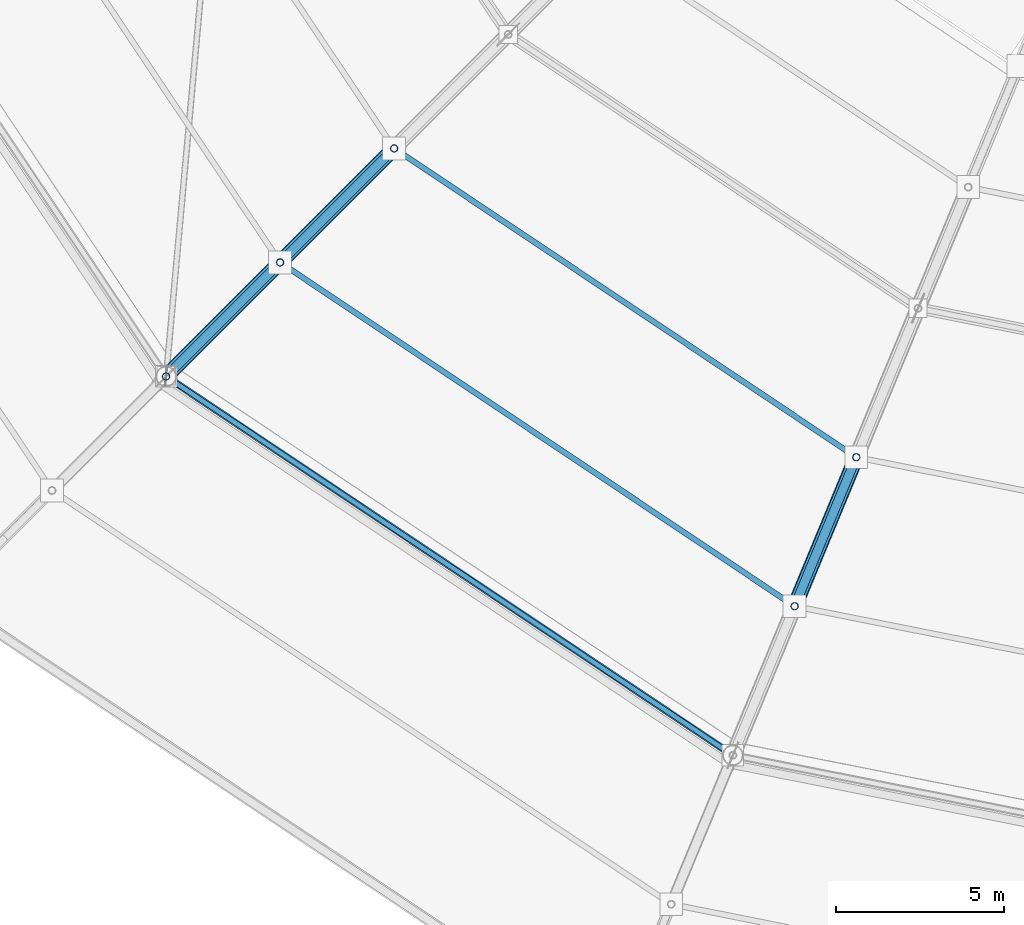
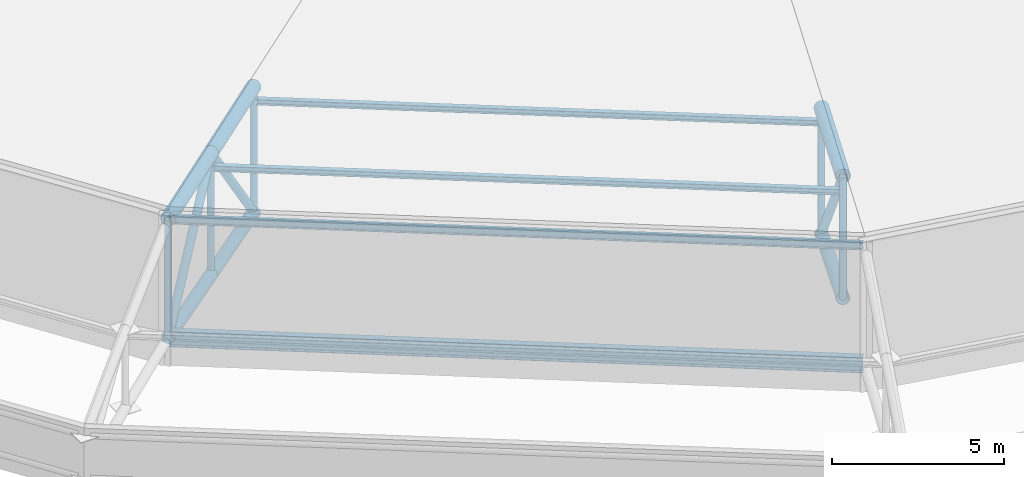
# One storey, part 17 of 146: 16 members, 2 beams.
"""IFC4 building model written with IfcOpenShell, lengths in metres."""

from ifc_helpers import new_model, si_unit, direction, frame, origin, origin_2d, place, context, subcontext, project, spatial, hollow_circle, i_section, extrude, material, material_profile, profile_set, type_object, element, save


model = new_model("IFC4")

# Units and contexts
model_context = context("Model", 3, precision=1e-05, world=origin(), true_north=direction((0.0, 1.0)))
body_context = subcontext(model_context, "Body", "Model", "MODEL_VIEW")
ifc_project = project(units=[si_unit("LENGTHUNIT", "METRE"), si_unit("AREAUNIT", "SQUARE_METRE"), si_unit("VOLUMEUNIT", "CUBIC_METRE"), si_unit("PLANEANGLEUNIT", "RADIAN"), si_unit("MASSUNIT", "GRAM", prefix="KILO")], contexts=[model_context])

# Site, building, storey
site_placement = place(None, origin())
site = spatial("IfcSite", under=ifc_project, at=site_placement, CompositionType="ELEMENT")
building_placement = place(site_placement, origin())
building = spatial("IfcBuilding", under=site, at=building_placement, Name="Candeia Ridge Stadium", CompositionType="ELEMENT")
storey_placement = place(building_placement, frame((0.0, 0.0, 31.800048828125)))
storey = spatial("IfcBuildingStorey", under=building, at=storey_placement, Name="RF", CompositionType="ELEMENT", Elevation=31.800048828125)

# Beams
ifc_material = material(Name="Steel ASTM A572 Grade 50", Category="steel")
ifc_material_profile_1 = material_profile(ifc_material, i_section(OverallWidth=0.14794921875, OverallDepth=0.26611328125, WebThickness=0.007568359375, FlangeThickness=0.012939453125, FilletRadius=0.010986328125, at=origin_2d()), Name="W250x44.8", Category="steel")
ifc_profile_set_1 = profile_set([ifc_material_profile_1], Name="Steel ASTM A572 Grade 50")
beam_type_1 = type_object("IfcBeamType", Name="Canopy Edge Spandrel W250x44.8", PredefinedType="SPANDREL", material=ifc_profile_set_1)
beam_1_placement = place(storey_placement, frame((34.263671875, 34.208251953125, 4.599853515625), z_axis=(0.831468111774, -0.555572478713, 0.0), x_axis=(0.555572478713, 0.831468111774, 0.0)))
element("IfcBeam", 1, at=beam_1_placement, inside=storey, type_object=beam_type_1, Name="Roof crown cap ring beam bay 17", PredefinedType="SPANDREL", context=body_context, shape_type="SweptSolid", body=[
    extrude(i_section(OverallWidth=0.14794921875, OverallDepth=0.26611328125, WebThickness=0.007568359375, FlangeThickness=0.012939453125, FilletRadius=0.010986328125, at=origin_2d()), origin(), (0.0, 0.0, 1.0), 20.20947265625),
])
ifc_material_profile_2 = material_profile(ifc_material, i_section(OverallWidth=0.2119140625, OverallDepth=0.5439453125, WebThickness=0.01318359375, FlangeThickness=0.021240234375, FilletRadius=0.013916015625, at=origin_2d()), Name="W530x123", Category="steel")
ifc_profile_set_2 = profile_set([ifc_material_profile_2], Name="Steel ASTM A572 Grade 50")
beam_type_2 = type_object("IfcBeamType", Name="Roof Perimeter Ring Beam W530x123", PredefinedType="BEAM", material=ifc_profile_set_2)
beam_2_placement = place(storey_placement, frame((34.263671875, 34.208251953125, 0.39990234375), z_axis=(0.831468111774, -0.555572478713, 0.0), x_axis=(0.555572478713, 0.831468111774, 0.0)))
element("IfcBeam", 2, at=beam_2_placement, inside=storey, type_object=beam_type_2, Name="Roof perimeter ring beam bay 17", PredefinedType="BEAM", context=body_context, shape_type="SweptSolid", body=[
    extrude(i_section(OverallWidth=0.2119140625, OverallDepth=0.5439453125, WebThickness=0.01318359375, FlangeThickness=0.021240234375, FilletRadius=0.013916015625, at=origin_2d()), origin(), (0.0, 0.0, 1.0), 20.20947265625),
])

# Members
ifc_material_profile_3 = material_profile(ifc_material, i_section(OverallWidth=0.1650390625, OverallDepth=0.200927734375, WebThickness=0.006103515625, FlangeThickness=0.01025390625, FilletRadius=0.010009765625, at=origin_2d()), Name="W200x35.9", Category="steel")
ifc_profile_set_3 = profile_set([ifc_material_profile_3], Name="Steel ASTM A572 Grade 50")
member_type_1 = type_object("IfcMemberType", Name="Roof Purlin W200x35.9", PredefinedType="PURLIN", material=ifc_profile_set_3)
member_1_placement = place(storey_placement, frame((41.060302734375, 40.990966796875, 2.303955078125), z_axis=(0.831465086253, -0.555577006671, 0.0), x_axis=(0.555577006671, 0.831465086253, 0.0)))
element("IfcMember", 3, at=member_1_placement, inside=storey, type_object=member_type_1, Name="Saddle roof steel purlin bay 17-3", PredefinedType="PURLIN", context=body_context, shape_type="SweptSolid", body=[
    extrude(i_section(OverallWidth=0.1650390625, OverallDepth=0.200927734375, WebThickness=0.006103515625, FlangeThickness=0.01025390625, FilletRadius=0.010009765625, at=origin_2d()), origin(), (0.0, 0.0, 1.0), 16.443603515625),
])
member_2_placement = place(storey_placement, frame((37.666015625, 37.5966796875, 3.19189453125), z_axis=(0.83147362437, -0.555564228489, 0.0), x_axis=(0.555564228489, 0.83147362437, 0.0)))
element("IfcMember", 4, at=member_2_placement, inside=storey, type_object=member_type_1, Name="Saddle roof steel purlin bay 17-4", PredefinedType="PURLIN", context=body_context, shape_type="SweptSolid", body=[
    extrude(i_section(OverallWidth=0.1650390625, OverallDepth=0.200927734375, WebThickness=0.006103515625, FlangeThickness=0.01025390625, FilletRadius=0.010009765625, at=origin_2d()), origin(), (0.0, 0.0, 1.0), 18.316650390625),
])
ifc_material_profile_4 = material_profile(ifc_material, hollow_circle(Radius=0.136474609375, WallThickness=0.010009765625, at=origin_2d()), Name="CHS273x10", Category="steel")
ifc_profile_set_4 = profile_set([ifc_material_profile_4], Name="Steel ASTM A572 Grade 50")
member_type_2 = type_object("IfcMemberType", Name="Roof Truss Heavy Web Brace CHS273x10", PredefinedType="BRACE", material=ifc_profile_set_4)
member_3_placement = place(storey_placement, frame((41.0185546875, 41.0185546875, -1.642822265625), z_axis=(-0.471976735173, -0.471976735173, 0.744631400701), x_axis=(0.707106781187, -0.707106781187, 0.0)))
element("IfcMember", 5, at=member_3_placement, inside=storey, type_object=member_type_2, Name="Roof cantilever truss RT-17 diagonal web 5", PredefinedType="BRACE", context=body_context, shape_type="SweptSolid", body=[
    extrude(hollow_circle(Radius=0.136474609375, WallThickness=0.010009765625, at=origin_2d()), origin(), (0.0, 0.0, 1.0), 7.191162109375),
])
member_4_placement = place(storey_placement, frame((37.62451171875, 37.62451171875, 3.7119140625), z_axis=(-0.582001018536, -0.582001018536, -0.567934528662), x_axis=(0.707106781187, -0.707106781187, 0.0)))
element("IfcMember", 6, at=member_4_placement, inside=storey, type_object=member_type_2, Name="Roof cantilever truss RT-17 diagonal web 6", PredefinedType="BRACE", context=body_context, shape_type="SweptSolid", body=[
    extrude(hollow_circle(Radius=0.136474609375, WallThickness=0.010009765625, at=origin_2d()), origin(), (0.0, 0.0, 1.0), 5.831787109375),
])
member_5_placement = place(storey_placement, frame((54.774169921875, 31.827392578125, -1.642822265625), z_axis=(-0.255440364672, -0.616669163197, 0.744626996058), x_axis=(0.923875488976, -0.382693194178, 0.0)))
element("IfcMember", 7, at=member_5_placement, inside=storey, type_object=member_type_2, Name="Roof cantilever truss RT-18 diagonal web 5", PredefinedType="BRACE", context=body_context, shape_type="SweptSolid", body=[
    extrude(hollow_circle(Radius=0.136474609375, WallThickness=0.010009765625, at=origin_2d()), origin(), (0.0, 0.0, 1.0), 7.191162109375),
])
ifc_material_profile_5 = material_profile(ifc_material, hollow_circle(Radius=0.109619140625, WallThickness=0.010009765625, at=origin_2d()), Name="CHS219x10", Category="steel")
ifc_profile_set_5 = profile_set([ifc_material_profile_5], Name="Steel ASTM A572 Grade 50")
member_type_3 = type_object("IfcMemberType", Name="Roof Truss Inner Web Brace CHS219x10", PredefinedType="BRACE", material=ifc_profile_set_5)
member_6_placement = place(storey_placement, frame((41.0185546875, 41.0185546875, -1.642822265625), z_axis=(0.0, 0.0, 1.0), x_axis=(1.0, 0.0, 0.0)))
element("IfcMember", 8, at=member_6_placement, inside=storey, type_object=member_type_3, Name="Roof cantilever truss RT-17 vertical post 4", PredefinedType="BRACE", context=body_context, shape_type="SweptSolid", body=[
    extrude(hollow_circle(Radius=0.109619140625, WallThickness=0.010009765625, at=origin_2d()), origin(), (0.0, 0.0, 1.0), 4.466796875),
])
member_7_placement = place(storey_placement, frame((37.62451171875, 37.62451171875, -0.621337890625), z_axis=(0.0, 0.0, 1.0), x_axis=(1.0, 0.0, 0.0)))
element("IfcMember", 9, at=member_7_placement, inside=storey, type_object=member_type_3, Name="Roof cantilever truss RT-17 vertical post 5", PredefinedType="BRACE", context=body_context, shape_type="SweptSolid", body=[
    extrude(hollow_circle(Radius=0.109619140625, WallThickness=0.010009765625, at=origin_2d()), origin(), (0.0, 0.0, 1.0), 4.333251953125),
])
member_8_placement = place(storey_placement, frame((34.23046875, 34.23046875, 0.39990234375), z_axis=(0.0, 0.0, 1.0), x_axis=(1.0, 0.0, 0.0)))
element("IfcMember", 10, at=member_8_placement, inside=storey, type_object=member_type_3, Name="Roof cantilever truss RT-17 vertical post 6", PredefinedType="BRACE", context=body_context, shape_type="SweptSolid", body=[
    extrude(hollow_circle(Radius=0.109619140625, WallThickness=0.010009765625, at=origin_2d()), origin(), (0.0, 0.0, 1.0), 4.199951171875),
])
member_9_placement = place(storey_placement, frame((54.774169921875, 31.827392578125, -1.642822265625), z_axis=(0.0, 0.0, 1.0), x_axis=(1.0, 0.0, 0.0)))
element("IfcMember", 11, at=member_9_placement, inside=storey, type_object=member_type_3, Name="Roof cantilever truss RT-18 vertical post 4", PredefinedType="BRACE", context=body_context, shape_type="SweptSolid", body=[
    extrude(hollow_circle(Radius=0.109619140625, WallThickness=0.010009765625, at=origin_2d()), origin(), (0.0, 0.0, 1.0), 4.466796875),
])
member_10_placement = place(storey_placement, frame((52.937255859375, 27.392822265625, -0.621337890625), z_axis=(0.0, 0.0, 1.0), x_axis=(1.0, 0.0, 0.0)))
element("IfcMember", 12, at=member_10_placement, inside=storey, type_object=member_type_3, Name="Roof cantilever truss RT-18 vertical post 5", PredefinedType="BRACE", context=body_context, shape_type="SweptSolid", body=[
    extrude(hollow_circle(Radius=0.109619140625, WallThickness=0.010009765625, at=origin_2d()), origin(), (0.0, 0.0, 1.0), 4.333251953125),
])
ifc_material_profile_6 = material_profile(ifc_material, hollow_circle(Radius=0.228515625, WallThickness=0.02001953125, at=origin_2d()), Name="CHS457x20", Category="steel")
ifc_profile_set_6 = profile_set([ifc_material_profile_6], Name="Steel ASTM A572 Grade 50")
member_type_4 = type_object("IfcMemberType", Name="Roof Truss Main Chord CHS457x20", PredefinedType="CHORD", material=ifc_profile_set_6)
for number, where, z_axis, x_axis, name in (
    (13, (41.0185546875, 41.0185546875, 2.823974609375), (-0.695309513547, -0.695309513547, 0.181904812313), (0.707106781187, -0.707106781187, 0.0), "Roof cantilever truss RT-17 top chord 5"),
    (14, (37.62451171875, 37.62451171875, 3.7119140625), (-0.695309513547, -0.695309513547, 0.181904812313), (0.707106781187, -0.707106781187, 0.0), "Roof cantilever truss RT-17 top chord 6"),
    (15, (54.774169921875, 31.827392578125, 2.823974609375), (-0.376308561394, -0.908462082556, 0.181902477112), (0.923875488976, -0.382693194178, 0.0), "Roof cantilever truss RT-18 top chord 5"),
):
    element("IfcMember", number, at=place(storey_placement, frame(where, z_axis=z_axis, x_axis=x_axis)), inside=storey, type_object=member_type_4, Name=name, PredefinedType="CHORD", context=body_context, shape_type="SweptSolid", body=[
        extrude(hollow_circle(Radius=0.228515625, WallThickness=0.02001953125, at=origin_2d()), origin(), (0.0, 0.0, 1.0), 4.88134765625),
    ])
ifc_material_profile_7 = material_profile(ifc_material, hollow_circle(Radius=0.202880859375, WallThickness=0.01611328125, at=origin_2d()), Name="CHS406x16", Category="steel")
ifc_profile_set_7 = profile_set([ifc_material_profile_7], Name="Steel ASTM A572 Grade 50")
member_type_5 = type_object("IfcMemberType", Name="Roof Truss Outer Chord CHS406x16", PredefinedType="CHORD", material=ifc_profile_set_7)
member_11_placement = place(storey_placement, frame((41.0185546875, 41.0185546875, -1.642822265625), z_axis=(-0.691618626206, -0.691618626206, 0.2081522322), x_axis=(0.707106781187, -0.707106781187, 0.0)))
element("IfcMember", 16, at=member_11_placement, inside=storey, type_object=member_type_5, Name="Roof cantilever truss RT-17 bottom chord 5", PredefinedType="CHORD", context=body_context, shape_type="SweptSolid", body=[
    extrude(hollow_circle(Radius=0.202880859375, WallThickness=0.01611328125, at=origin_2d()), origin(), (0.0, 0.0, 1.0), 4.907470703125),
])
member_12_placement = place(storey_placement, frame((37.62451171875, 37.62451171875, -0.621337890625), z_axis=(-0.691625787508, -0.691625787508, 0.208104637401), x_axis=(0.707106781187, -0.707106781187, 0.0)))
element("IfcMember", 17, at=member_12_placement, inside=storey, type_object=member_type_5, Name="Roof cantilever truss RT-17 bottom chord 6", PredefinedType="CHORD", context=body_context, shape_type="SweptSolid", body=[
    extrude(hollow_circle(Radius=0.202880859375, WallThickness=0.01611328125, at=origin_2d()), origin(), (0.0, 0.0, 1.0), 4.9072265625),
])
member_13_placement = place(storey_placement, frame((54.774169921875, 31.827392578125, -1.642822265625), z_axis=(-0.374311066606, -0.903639847666, 0.208149588341), x_axis=(0.923875488976, -0.382693194178, 0.0)))
element("IfcMember", 18, at=member_13_placement, inside=storey, type_object=member_type_5, Name="Roof cantilever truss RT-18 bottom chord 5", PredefinedType="CHORD", context=body_context, shape_type="SweptSolid", body=[
    extrude(hollow_circle(Radius=0.202880859375, WallThickness=0.01611328125, at=origin_2d()), origin(), (0.0, 0.0, 1.0), 4.907470703125),
])

save(model, "model.ifc")
